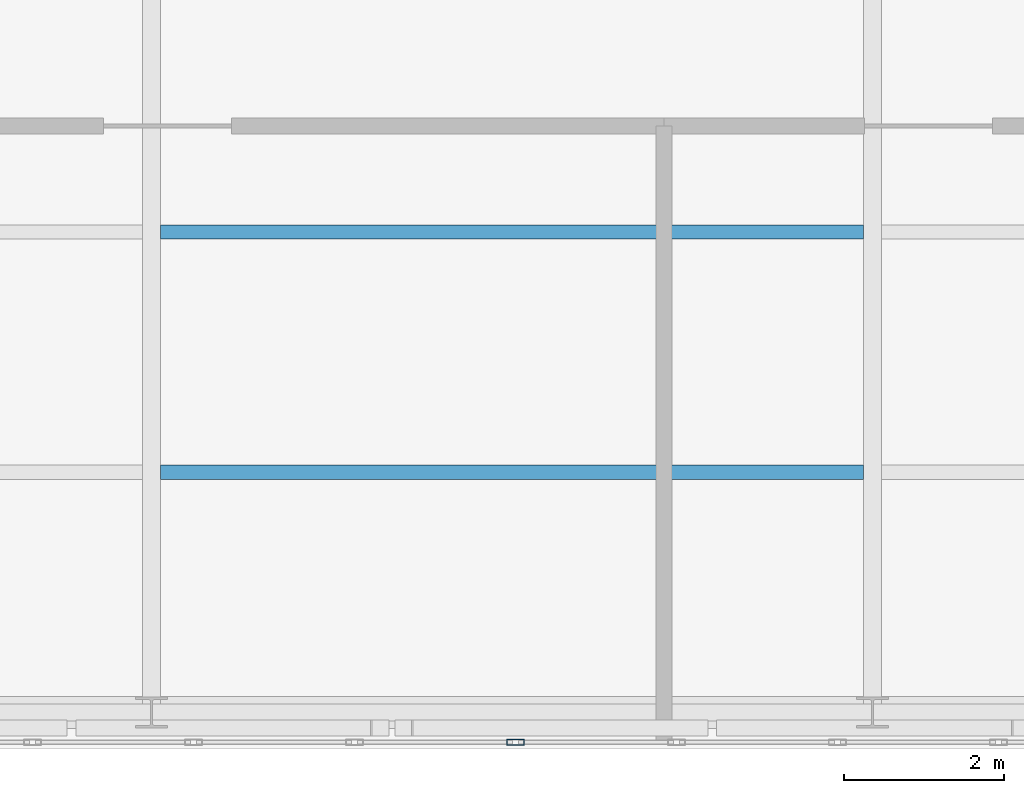
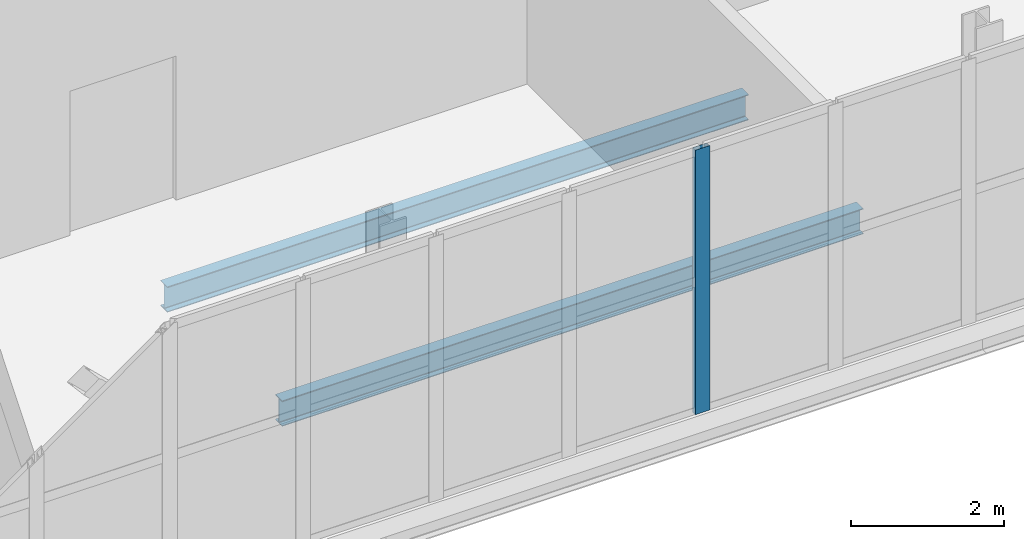
# One storey, part 8 of 21: 2 beams, 1 member, 1 element without a shape of its own.
"""IFC4 building model written with IfcOpenShell, lengths in metres."""

from ifc_helpers import new_model, si_unit, direction, frame, origin, origin_2d, place, context, subcontext, project, spatial, hollow_rectangle, i_section, extrude, material, layer, layer_set, material_profile, profile_set, type_object, element, aggregate, save


model = new_model("IFC4")

# Units and contexts
model_context = context("Model", 3, precision=1e-05, world=origin(), true_north=direction((0.0, 1.0)))
body_context = subcontext(model_context, "Body", "Model", "MODEL_VIEW")
ifc_project = project(units=[si_unit("LENGTHUNIT", "METRE"), si_unit("AREAUNIT", "SQUARE_METRE"), si_unit("VOLUMEUNIT", "CUBIC_METRE"), si_unit("PLANEANGLEUNIT", "RADIAN"), si_unit("MASSUNIT", "GRAM", prefix="KILO")], contexts=[model_context])

# Site, building, storey
site_placement = place(None, origin())
site = spatial("IfcSite", under=ifc_project, at=site_placement, CompositionType="ELEMENT")
building_placement = place(site_placement, origin())
building = spatial("IfcBuilding", under=site, at=building_placement, Name="Mawjdan Bourse Tower", CompositionType="ELEMENT")
storey_placement = place(building_placement, frame((0.0, 0.0, 313.199951171875)))
storey = spatial("IfcBuildingStorey", under=building, at=storey_placement, Name="L77", CompositionType="ELEMENT", Elevation=313.199951171875)

# Beams
ifc_material_1 = material(Name="Structural Steel S355", Category="steel")
ifc_material_profile_1 = material_profile(ifc_material_1, i_section(OverallWidth=0.177978515625, OverallDepth=0.406982421875, WebThickness=0.0078125, FlangeThickness=0.0126953125, FilletRadius=0.01025390625, at=origin_2d()), Name="W16X40")
ifc_profile_set_1 = profile_set([ifc_material_profile_1], Name="Structural Steel S355")
beam_type = type_object("IfcBeamType", Name="JST-W16X40", PredefinedType="JOIST", material=ifc_profile_set_1)
for number, where, z_axis, x_axis, name in (
    (1, (33.113037109375, 6.0, -0.4833984375), (1.0, 0.0, 0.0), (0.0, 1.0, 0.0), "L77 East Wing Composite Joist 012"),
    (2, (33.113037109375, 9.0, -0.4833984375), (1.0, 0.0, 0.0), (0.0, 1.0, 0.0), "L77 East Wing Composite Joist 015"),
):
    element("IfcBeam", number, at=place(storey_placement, frame(where, z_axis=z_axis, x_axis=x_axis)), inside=storey, type_object=beam_type, Name=name, PredefinedType="JOIST", context=body_context, shape_type="SweptSolid", body=[
        extrude(i_section(OverallWidth=0.177978515625, OverallDepth=0.406982421875, WebThickness=0.0078125, FlangeThickness=0.0126953125, FilletRadius=0.01025390625, at=origin_2d()), origin(), (0.0, 0.0, 1.0), 8.77392578125),
    ])

# Curtain wall, member
ifc_material_2 = material(Name="Thermally Broken Aluminium and Solar Glass", Category="aluminium")
ifc_layer = layer(ifc_material_2, 0.219970703125)
ifc_layer_set = layer_set([ifc_layer], Name="Thermally Broken Aluminium and Solar Glass")
curtain_wall_type = type_object("IfcCurtainWallType", Name="CW-CRN", PredefinedType="USERDEFINED", material=ifc_layer_set)
curtain_wall_placement = place(storey_placement, origin())
curtain_wall = element("IfcCurtainWall", 3, at=curtain_wall_placement, inside=storey, type_object=curtain_wall_type, Name="L77 Lantern Crown South Curtain Wall", ObjectType="LANTERN GLAZED CROWN", PredefinedType="USERDEFINED")
ifc_material_3 = material(Name="Thermally Broken Anodised Aluminium", Category="aluminium")
ifc_material_profile_2 = material_profile(ifc_material_3, hollow_rectangle(XDim=0.074951171875, YDim=0.219970703125, WallThickness=0.0048828125, at=origin_2d()), Name="ALU-MUL-220X75")
ifc_profile_set_2 = profile_set([ifc_material_profile_2], Name="Thermally Broken Anodised Aluminium")
member_type = type_object("IfcMemberType", Name="MUL-ALU-MUL-220X75", PredefinedType="MULLION", material=ifc_profile_set_2)
member_placement = place(storey_placement, frame((37.54296875, 2.6298828125, 0.0), z_axis=(0.0, 0.0, 1.0), x_axis=(0.0, 1.0, 0.0)))
member = element("IfcMember", 4, at=member_placement, type_object=member_type, Name="CW-CRN-L77-CRN-S mullion 16", PredefinedType="MULLION", context=body_context, shape_type="SweptSolid", body=[
    extrude(hollow_rectangle(XDim=0.074951171875, YDim=0.219970703125, WallThickness=0.0048828125, at=origin_2d()), origin(), (0.0, 0.0, 1.0), 4.219970703125),
])
aggregate(curtain_wall, [member])

save(model, "model.ifc")
